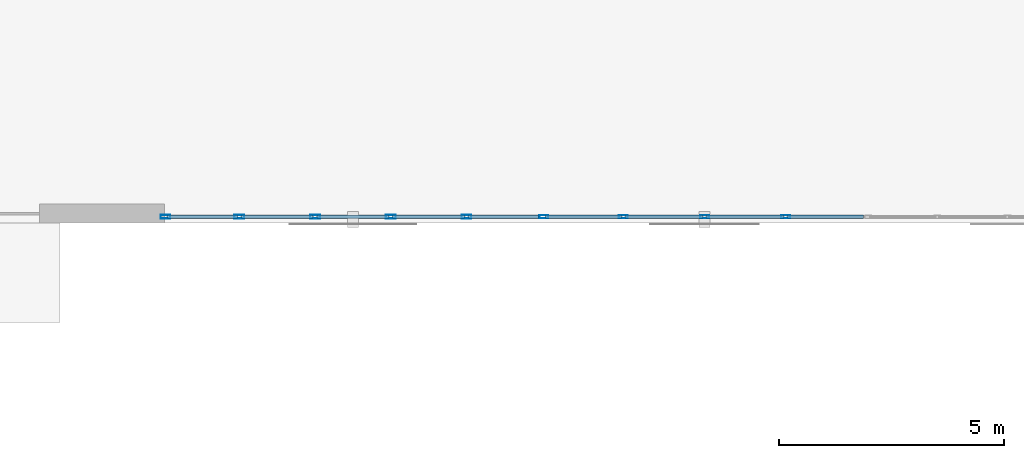
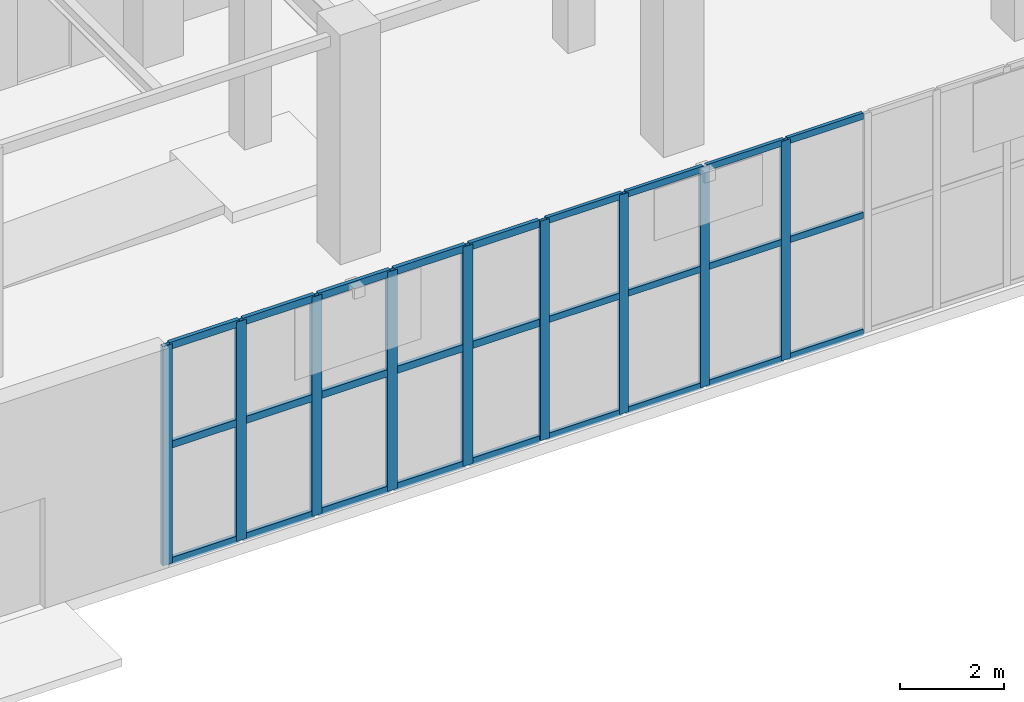
# One storey, part 36 of 139: 36 members, 2 elements without a shape of their own.
"""IFC4 building model written with IfcOpenShell, lengths in metres."""

import ifcopenshell
import ifcopenshell.guid

model = None  # the IFC model being written
_history = None  # IfcOwnerHistory: only IFC2X3 demands one
_inside = {}  # id of a spatial element -> (the spatial element, [elements in it])
_under = {}  # id of a project, library or spatial element -> (it, [spatial elements below it])
_declared = {}  # id of a project -> (the project, [libraries it declares])
_typed = {}  # id of a type object -> (the type object, [elements of that type])
_made_of = {}  # id of a material, layer set ... -> (it, [elements and type objects made of it])


def new_model(schema):
    """Start an empty IFC model of exactly this schema.

    Asked for "IFC4X3", IfcOpenShell would pick the latest addendum, in which some entities
    have other attributes; the version numbers below select the first issue.
    IFC2X3 requires an IfcOwnerHistory on every rooted entity: one is made here for all.
    """
    global model, _history
    if schema == "IFC4X3":
        model = ifcopenshell.file(schema_version=(4, 3, 0, 0))
    else:
        model = ifcopenshell.file(schema=schema)
    _inside.clear()
    _under.clear()
    _declared.clear()
    _typed.clear()
    _made_of.clear()
    _history = None
    if model.schema == "IFC2X3":
        org = make("IfcOrganization", Name="unknown")
        user = make(
            "IfcPersonAndOrganization",
            ThePerson=make("IfcPerson", FamilyName="unknown"),
            TheOrganization=org,
        )
        app = make(
            "IfcApplication",
            ApplicationDeveloper=org,
            Version="unknown",
            ApplicationFullName="unknown",
            ApplicationIdentifier="unknown",
        )
        _history = make(
            "IfcOwnerHistory",
            OwningUser=user,
            OwningApplication=app,
            ChangeAction="ADDED",
            CreationDate=0,
        )
    return model


def make(cls, **values):
    """One entity of the class cls with the attributes given. An attribute that is None is left unset."""
    return model.create_entity(
        cls, **{name: value for name, value in values.items() if value is not None}
    )


def rooted(cls, **values):
    """An entity with a GlobalId (a new one), such as an element, a storey or a relation."""
    return make(cls, GlobalId=ifcopenshell.guid.new(), OwnerHistory=_history, **values)


def si_unit(unit_type, name, prefix=None):
    """IfcSIUnit, for example si_unit("LENGTHUNIT", "METRE", prefix="MILLI")."""
    return make("IfcSIUnit", UnitType=unit_type, Prefix=prefix, Name=name)


def assignment(units):
    """IfcUnitAssignment: the units of a project."""
    return None if units is None else make("IfcUnitAssignment", Units=units)


def point(xyz):
    """IfcCartesianPoint."""
    return None if xyz is None else make("IfcCartesianPoint", Coordinates=xyz)


def direction(xyz):
    """IfcDirection."""
    return None if xyz is None else make("IfcDirection", DirectionRatios=xyz)


def frame(location, z_axis=None, x_axis=None):
    """IfcAxis2Placement3D, a coordinate frame: its origin and axes. An axis left out is left unset."""
    return make(
        "IfcAxis2Placement3D",
        Location=point(location),
        Axis=direction(z_axis),
        RefDirection=direction(x_axis),
    )


def frame_2d(location, x_axis=None):
    """IfcAxis2Placement2D, a coordinate frame in the plane: its origin and x axis."""
    return make(
        "IfcAxis2Placement2D", Location=point(location), RefDirection=direction(x_axis)
    )


def origin():
    """The frame at (0, 0, 0) with its axes left unset."""
    return frame((0.0, 0.0, 0.0))


def origin_2d():
    """The frame at (0, 0) in the plane with its x axis left unset."""
    return frame_2d((0.0, 0.0))


def place(relative_to, where):
    """IfcLocalPlacement: puts the frame where relative to a parent placement (None: the world)."""
    return make(
        "IfcLocalPlacement", PlacementRelTo=relative_to, RelativePlacement=where
    )


def context(
    kind, dimensions, precision=None, world=None, true_north=None, identifier=None
):
    """IfcGeometricRepresentationContext, for example the 3D "Model" context."""
    return make(
        "IfcGeometricRepresentationContext",
        ContextIdentifier=identifier,
        ContextType=kind,
        CoordinateSpaceDimension=dimensions,
        Precision=precision,
        WorldCoordinateSystem=world,
        TrueNorth=true_north,
    )


def subcontext(parent, identifier, kind, view, scale=None):
    """IfcGeometricRepresentationSubContext, for example "Body" below "Model"."""
    return make(
        "IfcGeometricRepresentationSubContext",
        ContextIdentifier=identifier,
        ContextType=kind,
        ParentContext=parent,
        TargetScale=scale,
        TargetView=view,
    )


def project(units=None, contexts=None):
    """IfcProject with its units and contexts."""
    return rooted(
        "IfcProject",
        Name="project",
        RepresentationContexts=contexts,
        UnitsInContext=assignment(units),
    )


def spatial(cls, under=None, at=None, **own):
    """A site, building, storey or space (cls), placed at a placement, below another one or the project."""
    s = rooted(cls, ObjectPlacement=at, **own)
    if under is not None:
        _under.setdefault(under.id(), (under, []))[1].append(s)
    return s


def profile(cls, at=None, kind="AREA", **sizes):
    """A parametric profile (cls). Its sizes go by their IFC names, for example OverallWidth=200.0."""
    return make(cls, ProfileType=kind, Position=at, **sizes)


def hollow_rectangle(**sizes):
    """IfcRectangleHollowProfileDef."""
    return profile("IfcRectangleHollowProfileDef", **sizes)


def extrude(swept, where, along, depth):
    """IfcExtrudedAreaSolid: the profile swept, set in the frame where, extruded along a direction by depth."""
    return make(
        "IfcExtrudedAreaSolid",
        SweptArea=swept,
        Position=where,
        ExtrudedDirection=direction(along),
        Depth=depth,
    )


def shape(context_of_items, identifier, shape_type, items):
    """IfcShapeRepresentation: the items that make up one representation, for example the "Body"."""
    return make(
        "IfcShapeRepresentation",
        ContextOfItems=context_of_items,
        RepresentationIdentifier=identifier,
        RepresentationType=shape_type,
        Items=items,
    )


def material(Name=None, Category=None):
    """IfcMaterial."""
    return make("IfcMaterial", Name=Name, Category=Category)


def layer(
    of_material, thickness, ventilated=None, Name=None, Category=None, Priority=None
):
    """IfcMaterialLayer: one layer of a wall or slab, of a material (None: an air gap)."""
    return make(
        "IfcMaterialLayer",
        Material=of_material,
        LayerThickness=thickness,
        IsVentilated=ventilated,
        Name=Name,
        Category=Category,
        Priority=Priority,
    )


def layer_set(layers, Name=None):
    """IfcMaterialLayerSet."""
    return make("IfcMaterialLayerSet", MaterialLayers=layers, LayerSetName=Name)


def material_profile(
    of_material, cross_section, Name=None, Category=None, Priority=None
):
    """IfcMaterialProfile: a cross section and its material."""
    return make(
        "IfcMaterialProfile",
        Name=Name,
        Material=of_material,
        Profile=cross_section,
        Priority=Priority,
        Category=Category,
    )


def profile_set(profiles, Name=None, composite=None):
    """IfcMaterialProfileSet."""
    return make(
        "IfcMaterialProfileSet",
        Name=Name,
        MaterialProfiles=profiles,
        CompositeProfile=composite,
    )


def made_of(thing, what):
    """Note that an element or type object is made of a material, layer set ...; save() writes the relation."""
    if what is not None:
        _made_of.setdefault(what.id(), (what, []))[1].append(thing)
    return thing


def type_object(cls, material=None, **own):
    """A type object (cls), such as IfcWallType, which elements share."""
    return made_of(rooted(cls, **own), material)


def element(
    cls,
    number,
    at=None,
    inside=None,
    cuts=None,
    type_object=None,
    material=None,
    context=None,
    identifier="Body",
    shape_type=None,
    held_by="IfcProductDefinitionShape",
    body=None,
    shapes=None,
    **own,
):
    """One element of the class cls, such as IfcWall. Its Tag is "e" and its number.

    at: its placement. inside: the storey or other place that contains it. cuts: it is an
    opening in that element (IfcRelVoidsElement). A single representation is given by context,
    identifier, shape_type and body (its items); several are given by shapes. held_by: the class
    of the entity that holds the representations. save() writes the other relations.
    """
    e = rooted(cls, Tag="e%d" % number, ObjectPlacement=at, **own)
    if body is not None:
        shapes = [shape(context, identifier, shape_type, body)]
    if shapes is not None:
        e.Representation = make(held_by, Representations=shapes)
    if inside is not None:
        _inside.setdefault(inside.id(), (inside, []))[1].append(e)
    if cuts is not None:
        rooted(
            "IfcRelVoidsElement", RelatingBuildingElement=cuts, RelatedOpeningElement=e
        )
    if type_object is not None:
        _typed.setdefault(type_object.id(), (type_object, []))[1].append(e)
    return made_of(e, material)


def aggregate(whole, parts):
    """IfcRelAggregates: a whole, such as a stair, and the parts it consists of."""
    return rooted("IfcRelAggregates", RelatingObject=whole, RelatedObjects=parts)


def save(model, path):
    """Write the relations noted so far, then the file.

    IfcRelAggregates (storeys below a building ...), IfcRelContainedInSpatialStructure (elements
    in a storey), IfcRelDefinesByType, IfcRelAssociatesMaterial and IfcRelDeclares: one each for
    every whole, place, type object, material and project.
    """
    for whole, parts in _under.values():
        aggregate(whole, parts)
    for where, things in _inside.values():
        rooted(
            "IfcRelContainedInSpatialStructure",
            RelatedElements=things,
            RelatingStructure=where,
        )
    for kind, things in _typed.values():
        rooted("IfcRelDefinesByType", RelatedObjects=things, RelatingType=kind)
    for what, things in _made_of.values():
        rooted("IfcRelAssociatesMaterial", RelatedObjects=things, RelatingMaterial=what)
    for by, libraries in _declared.values():
        rooted("IfcRelDeclares", RelatingContext=by, RelatedDefinitions=libraries)
    model.write(path)


model = new_model("IFC4")

# Units and contexts
model_context = context("Model", 3, precision=1e-05, world=origin(), true_north=direction((0.0, 1.0)))
body_context = subcontext(model_context, "Body", "Model", "MODEL_VIEW")
ifc_project = project(units=[si_unit("LENGTHUNIT", "METRE"), si_unit("AREAUNIT", "SQUARE_METRE"), si_unit("VOLUMEUNIT", "CUBIC_METRE"), si_unit("PLANEANGLEUNIT", "RADIAN"), si_unit("MASSUNIT", "GRAM", prefix="KILO")], contexts=[model_context])

# Site, building, storey
site_placement = place(None, origin())
site = spatial("IfcSite", under=ifc_project, at=site_placement, CompositionType="ELEMENT")
building_placement = place(site_placement, origin())
building = spatial("IfcBuilding", under=site, at=building_placement, Name="Xicomal Pleat Aquarium", CompositionType="ELEMENT")
storey_placement = place(building_placement, origin())
storey = spatial("IfcBuildingStorey", under=building, at=storey_placement, Name="L01", CompositionType="ELEMENT", Elevation=0.0)

# Curtain wall, members
ifc_material_1 = material(Name="Bronze anodized aluminium 6063-T6", Category="aluminium")
ifc_layer_1 = layer(ifc_material_1, 0.159912109375)
ifc_layer_set_1 = layer_set([ifc_layer_1], Name="Bronze anodized aluminium 6063-T6")
curtain_wall_type_1 = type_object("IfcCurtainWallType", Name="CW-SYS-06", PredefinedType="NOTDEFINED", material=ifc_layer_set_1)
curtain_wall_1_placement = place(storey_placement, origin())
curtain_wall_1 = element("IfcCurtainWall", 1, at=curtain_wall_1_placement, inside=storey, type_object=curtain_wall_type_1, Name="L01 unitised curtain wall CW-L01-049", PredefinedType="NOTDEFINED")
ifc_material_2 = material(Name="Bronze anodized aluminium 6063-T6", Category="aluminium")
ifc_material_profile_1 = material_profile(ifc_material_2, hollow_rectangle(XDim=0.074951171875, YDim=0.199951171875, WallThickness=0.00439453125, at=origin_2d()), Name="ALU MULL 75x200")
ifc_profile_set_1 = profile_set([ifc_material_profile_1], Name="Bronze anodized aluminium 6063-T6")
member_type_1 = type_object("IfcMemberType", Name="CWM-75x200", PredefinedType="MULLION", material=ifc_profile_set_1)
member_1_placement = place(storey_placement, frame((116.39990234375, 30.5400390625, 0.0), z_axis=(0.0, 0.0, 1.0), x_axis=(0.0, -1.0, 0.0)))
member_1 = element("IfcMember", 2, at=member_1_placement, type_object=member_type_1, Name="CW-06 mullion 2", PredefinedType="MULLION", context=body_context, shape_type="SweptSolid", body=[
    extrude(hollow_rectangle(XDim=0.074951171875, YDim=0.199951171875, WallThickness=0.00439453125, at=origin_2d()), origin(), (0.0, 0.0, 1.0), 5.159912109375),
])
member_2_placement = place(storey_placement, frame((114.60009765625, 30.5400390625, 0.0), z_axis=(0.0, 0.0, 1.0), x_axis=(0.0, -1.0, 0.0)))
member_2 = element("IfcMember", 3, at=member_2_placement, type_object=member_type_1, Name="CW-06 mullion 3", PredefinedType="MULLION", context=body_context, shape_type="SweptSolid", body=[
    extrude(hollow_rectangle(XDim=0.074951171875, YDim=0.199951171875, WallThickness=0.00439453125, at=origin_2d()), origin(), (0.0, 0.0, 1.0), 5.159912109375),
])
member_3_placement = place(storey_placement, frame((112.800048828125, 30.5400390625, 0.0), z_axis=(0.0, 0.0, 1.0), x_axis=(0.0, -1.0, 0.0)))
member_3 = element("IfcMember", 4, at=member_3_placement, type_object=member_type_1, Name="CW-06 mullion 4", PredefinedType="MULLION", context=body_context, shape_type="SweptSolid", body=[
    extrude(hollow_rectangle(XDim=0.074951171875, YDim=0.199951171875, WallThickness=0.00439453125, at=origin_2d()), origin(), (0.0, 0.0, 1.0), 5.159912109375),
])
member_4_placement = place(storey_placement, frame((111.03759765625, 30.5400390625, 0.0), z_axis=(0.0, 0.0, 1.0), x_axis=(0.0, -1.0, 0.0)))
member_4 = element("IfcMember", 5, at=member_4_placement, type_object=member_type_1, Name="CW-06 mullion 5", PredefinedType="MULLION", context=body_context, shape_type="SweptSolid", body=[
    extrude(hollow_rectangle(XDim=0.074951171875, YDim=0.199951171875, WallThickness=0.00439453125, at=origin_2d()), origin(), (0.0, 0.0, 1.0), 5.159912109375),
])

ifc_material_3 = material(Name="Bronze anodized aluminium 6063-T6", Category="aluminium")
ifc_layer_2 = layer(ifc_material_3, 0.159912109375)
ifc_layer_set_2 = layer_set([ifc_layer_2], Name="Bronze anodized aluminium 6063-T6")
curtain_wall_type_2 = type_object("IfcCurtainWallType", Name="CW-SYS-11", PredefinedType="NOTDEFINED", material=ifc_layer_set_2)
curtain_wall_2_placement = place(storey_placement, origin())
curtain_wall_2 = element("IfcCurtainWall", 6, at=curtain_wall_2_placement, inside=storey, type_object=curtain_wall_type_2, Name="L01 unitised curtain wall CW-L01-050", PredefinedType="NOTDEFINED")
ifc_material_4 = material(Name="Bronze anodized aluminium 6063-T6", Category="aluminium")
ifc_material_profile_2 = material_profile(ifc_material_4, hollow_rectangle(XDim=0.0849609375, YDim=0.219970703125, WallThickness=0.0048828125, at=origin_2d()), Name="ALU MULL 85x220")
ifc_profile_set_2 = profile_set([ifc_material_profile_2], Name="Bronze anodized aluminium 6063-T6")
member_type_2 = type_object("IfcMemberType", Name="CWM-85x220", PredefinedType="MULLION", material=ifc_profile_set_2)
member_5_placement = place(storey_placement, frame((109.320068359375, 30.5400390625, 0.0), z_axis=(0.0, 0.0, 1.0), x_axis=(0.0, -1.0, 0.0)))
member_5 = element("IfcMember", 7, at=member_5_placement, type_object=member_type_2, Name="CW-11 mullion 2", PredefinedType="MULLION", context=body_context, shape_type="SweptSolid", body=[
    extrude(hollow_rectangle(XDim=0.0849609375, YDim=0.219970703125, WallThickness=0.0048828125, at=origin_2d()), origin(), (0.0, 0.0, 1.0), 5.159912109375),
])
member_6_placement = place(storey_placement, frame((107.639892578125, 30.5400390625, 0.0), z_axis=(0.0, 0.0, 1.0), x_axis=(0.0, -1.0, 0.0)))
member_6 = element("IfcMember", 8, at=member_6_placement, type_object=member_type_2, Name="CW-11 mullion 3", PredefinedType="MULLION", context=body_context, shape_type="SweptSolid", body=[
    extrude(hollow_rectangle(XDim=0.0849609375, YDim=0.219970703125, WallThickness=0.0048828125, at=origin_2d()), origin(), (0.0, 0.0, 1.0), 5.159912109375),
])
member_7_placement = place(storey_placement, frame((105.9599609375, 30.5400390625, 0.0), z_axis=(0.0, 0.0, 1.0), x_axis=(0.0, -1.0, 0.0)))
member_7 = element("IfcMember", 9, at=member_7_placement, type_object=member_type_2, Name="CW-11 mullion 4", PredefinedType="MULLION", context=body_context, shape_type="SweptSolid", body=[
    extrude(hollow_rectangle(XDim=0.0849609375, YDim=0.219970703125, WallThickness=0.0048828125, at=origin_2d()), origin(), (0.0, 0.0, 1.0), 5.159912109375),
])
member_8_placement = place(storey_placement, frame((104.280029296875, 30.5400390625, 0.0), z_axis=(0.0, 0.0, 1.0), x_axis=(0.0, -1.0, 0.0)))
member_8 = element("IfcMember", 10, at=member_8_placement, type_object=member_type_2, Name="CW-11 mullion 5", PredefinedType="MULLION", context=body_context, shape_type="SweptSolid", body=[
    extrude(hollow_rectangle(XDim=0.0849609375, YDim=0.219970703125, WallThickness=0.0048828125, at=origin_2d()), origin(), (0.0, 0.0, 1.0), 5.159912109375),
])
member_9_placement = place(storey_placement, frame((102.642578125, 30.5400390625, 0.0), z_axis=(0.0, 0.0, 1.0), x_axis=(0.0, -1.0, 0.0)))
member_9 = element("IfcMember", 11, at=member_9_placement, type_object=member_type_2, Name="CW-11 mullion 6", PredefinedType="MULLION", context=body_context, shape_type="SweptSolid", body=[
    extrude(hollow_rectangle(XDim=0.0849609375, YDim=0.219970703125, WallThickness=0.0048828125, at=origin_2d()), origin(), (0.0, 0.0, 1.0), 5.159912109375),
])

# Member
ifc_material_5 = material(Name="Bronze anodized aluminium 6063-T6", Category="aluminium")
ifc_material_profile_3 = material_profile(ifc_material_5, hollow_rectangle(XDim=0.074951171875, YDim=0.14990234375, WallThickness=0.00439453125, at=origin_2d()), Name="ALU TRAN 75x150")
ifc_profile_set_3 = profile_set([ifc_material_profile_3], Name="Bronze anodized aluminium 6063-T6")
member_type_3 = type_object("IfcMemberType", Name="CWT-75x150", PredefinedType="USERDEFINED", material=ifc_profile_set_3)
member_10_placement = place(storey_placement, frame((118.125, 30.5400390625, 0.03759765625), z_axis=(-1.0, 0.0, 0.0), x_axis=(0.0, -1.0, 0.0)))
member_10 = element("IfcMember", 12, at=member_10_placement, type_object=member_type_3, Name="CW-06 transom 1.1", ObjectType="TRANSOM", PredefinedType="USERDEFINED", context=body_context, shape_type="SweptSolid", body=[
    extrude(hollow_rectangle(XDim=0.074951171875, YDim=0.14990234375, WallThickness=0.00439453125, at=origin_2d()), origin(), (0.0, 0.0, 1.0), 1.6875),
])

member_11_placement = place(storey_placement, frame((118.125, 30.5400390625, 2.785888671875), z_axis=(-1.0, 0.0, 0.0), x_axis=(0.0, -1.0, 0.0)))
member_11 = element("IfcMember", 13, at=member_11_placement, type_object=member_type_3, Name="CW-06 transom 1.2", ObjectType="TRANSOM", PredefinedType="USERDEFINED", context=body_context, shape_type="SweptSolid", body=[
    extrude(hollow_rectangle(XDim=0.074951171875, YDim=0.14990234375, WallThickness=0.00439453125, at=origin_2d()), origin(), (0.0, 0.0, 1.0), 1.6875),
])

member_12_placement = place(storey_placement, frame((118.125, 30.5400390625, 5.12255859375), z_axis=(-1.0, 0.0, 0.0), x_axis=(0.0, -1.0, 0.0)))
member_12 = element("IfcMember", 14, at=member_12_placement, type_object=member_type_3, Name="CW-06 transom 1.3", ObjectType="TRANSOM", PredefinedType="USERDEFINED", context=body_context, shape_type="SweptSolid", body=[
    extrude(hollow_rectangle(XDim=0.074951171875, YDim=0.14990234375, WallThickness=0.00439453125, at=origin_2d()), origin(), (0.0, 0.0, 1.0), 1.6875),
])

member_13_placement = place(storey_placement, frame((116.362548828125, 30.5400390625, 0.03759765625), z_axis=(-1.0, 0.0, 0.0), x_axis=(0.0, -1.0, 0.0)))
member_13 = element("IfcMember", 15, at=member_13_placement, type_object=member_type_3, Name="CW-06 transom 2.1", ObjectType="TRANSOM", PredefinedType="USERDEFINED", context=body_context, shape_type="SweptSolid", body=[
    extrude(hollow_rectangle(XDim=0.074951171875, YDim=0.14990234375, WallThickness=0.00439453125, at=origin_2d()), origin(), (0.0, 0.0, 1.0), 1.72509765625),
])

member_14_placement = place(storey_placement, frame((116.362548828125, 30.5400390625, 2.785888671875), z_axis=(-1.0, 0.0, 0.0), x_axis=(0.0, -1.0, 0.0)))
member_14 = element("IfcMember", 16, at=member_14_placement, type_object=member_type_3, Name="CW-06 transom 2.2", ObjectType="TRANSOM", PredefinedType="USERDEFINED", context=body_context, shape_type="SweptSolid", body=[
    extrude(hollow_rectangle(XDim=0.074951171875, YDim=0.14990234375, WallThickness=0.00439453125, at=origin_2d()), origin(), (0.0, 0.0, 1.0), 1.72509765625),
])

member_15_placement = place(storey_placement, frame((116.362548828125, 30.5400390625, 5.12255859375), z_axis=(-1.0, 0.0, 0.0), x_axis=(0.0, -1.0, 0.0)))
member_15 = element("IfcMember", 17, at=member_15_placement, type_object=member_type_3, Name="CW-06 transom 2.3", ObjectType="TRANSOM", PredefinedType="USERDEFINED", context=body_context, shape_type="SweptSolid", body=[
    extrude(hollow_rectangle(XDim=0.074951171875, YDim=0.14990234375, WallThickness=0.00439453125, at=origin_2d()), origin(), (0.0, 0.0, 1.0), 1.72509765625),
])

member_16_placement = place(storey_placement, frame((114.5625, 30.5400390625, 0.03759765625), z_axis=(-1.0, 0.0, 0.0), x_axis=(0.0, -1.0, 0.0)))
member_16 = element("IfcMember", 18, at=member_16_placement, type_object=member_type_3, Name="CW-06 transom 3.1", ObjectType="TRANSOM", PredefinedType="USERDEFINED", context=body_context, shape_type="SweptSolid", body=[
    extrude(hollow_rectangle(XDim=0.074951171875, YDim=0.14990234375, WallThickness=0.00439453125, at=origin_2d()), origin(), (0.0, 0.0, 1.0), 1.72509765625),
])

member_17_placement = place(storey_placement, frame((114.5625, 30.5400390625, 2.785888671875), z_axis=(-1.0, 0.0, 0.0), x_axis=(0.0, -1.0, 0.0)))
member_17 = element("IfcMember", 19, at=member_17_placement, type_object=member_type_3, Name="CW-06 transom 3.2", ObjectType="TRANSOM", PredefinedType="USERDEFINED", context=body_context, shape_type="SweptSolid", body=[
    extrude(hollow_rectangle(XDim=0.074951171875, YDim=0.14990234375, WallThickness=0.00439453125, at=origin_2d()), origin(), (0.0, 0.0, 1.0), 1.72509765625),
])

member_18_placement = place(storey_placement, frame((114.5625, 30.5400390625, 5.12255859375), z_axis=(-1.0, 0.0, 0.0), x_axis=(0.0, -1.0, 0.0)))
member_18 = element("IfcMember", 20, at=member_18_placement, type_object=member_type_3, Name="CW-06 transom 3.3", ObjectType="TRANSOM", PredefinedType="USERDEFINED", context=body_context, shape_type="SweptSolid", body=[
    extrude(hollow_rectangle(XDim=0.074951171875, YDim=0.14990234375, WallThickness=0.00439453125, at=origin_2d()), origin(), (0.0, 0.0, 1.0), 1.72509765625),
])

member_19_placement = place(storey_placement, frame((112.762451171875, 30.5400390625, 0.03759765625), z_axis=(-1.0, 0.0, 0.0), x_axis=(0.0, -1.0, 0.0)))
member_19 = element("IfcMember", 21, at=member_19_placement, type_object=member_type_3, Name="CW-06 transom 4.1", ObjectType="TRANSOM", PredefinedType="USERDEFINED", context=body_context, shape_type="SweptSolid", body=[
    extrude(hollow_rectangle(XDim=0.074951171875, YDim=0.14990234375, WallThickness=0.00439453125, at=origin_2d()), origin(), (0.0, 0.0, 1.0), 1.6875),
])

member_20_placement = place(storey_placement, frame((112.762451171875, 30.5400390625, 2.785888671875), z_axis=(-1.0, 0.0, 0.0), x_axis=(0.0, -1.0, 0.0)))
member_20 = element("IfcMember", 22, at=member_20_placement, type_object=member_type_3, Name="CW-06 transom 4.2", ObjectType="TRANSOM", PredefinedType="USERDEFINED", context=body_context, shape_type="SweptSolid", body=[
    extrude(hollow_rectangle(XDim=0.074951171875, YDim=0.14990234375, WallThickness=0.00439453125, at=origin_2d()), origin(), (0.0, 0.0, 1.0), 1.6875),
])

member_21_placement = place(storey_placement, frame((112.762451171875, 30.5400390625, 5.12255859375), z_axis=(-1.0, 0.0, 0.0), x_axis=(0.0, -1.0, 0.0)))
member_21 = element("IfcMember", 23, at=member_21_placement, type_object=member_type_3, Name="CW-06 transom 4.3", ObjectType="TRANSOM", PredefinedType="USERDEFINED", context=body_context, shape_type="SweptSolid", body=[
    extrude(hollow_rectangle(XDim=0.074951171875, YDim=0.14990234375, WallThickness=0.00439453125, at=origin_2d()), origin(), (0.0, 0.0, 1.0), 1.6875),
])

aggregate(curtain_wall_1, [member_1, member_2, member_3, member_4, member_10, member_11, member_12, member_13, member_14, member_15, member_16, member_17, member_18, member_19, member_20, member_21])

ifc_material_6 = material(Name="Bronze anodized aluminium 6063-T6", Category="aluminium")
ifc_material_profile_4 = material_profile(ifc_material_6, hollow_rectangle(XDim=0.0849609375, YDim=0.169921875, WallThickness=0.0048828125, at=origin_2d()), Name="ALU TRAN 85x170")
ifc_profile_set_4 = profile_set([ifc_material_profile_4], Name="Bronze anodized aluminium 6063-T6")
member_type_4 = type_object("IfcMemberType", Name="CWT-85x170", PredefinedType="USERDEFINED", material=ifc_profile_set_4)
member_22_placement = place(storey_placement, frame((110.9150390625, 30.5400390625, 0.04248046875), z_axis=(-1.0, 0.0, 0.0), x_axis=(0.0, -1.0, 0.0)))
member_22 = element("IfcMember", 24, at=member_22_placement, type_object=member_type_4, Name="CW-11 transom 1.1", ObjectType="TRANSOM", PredefinedType="USERDEFINED", context=body_context, shape_type="SweptSolid", body=[
    extrude(hollow_rectangle(XDim=0.0849609375, YDim=0.169921875, WallThickness=0.0048828125, at=origin_2d()), origin(), (0.0, 0.0, 1.0), 1.552490234375),
])

member_23_placement = place(storey_placement, frame((110.9150390625, 30.5400390625, 2.785888671875), z_axis=(-1.0, 0.0, 0.0), x_axis=(0.0, -1.0, 0.0)))
member_23 = element("IfcMember", 25, at=member_23_placement, type_object=member_type_4, Name="CW-11 transom 1.2", ObjectType="TRANSOM", PredefinedType="USERDEFINED", context=body_context, shape_type="SweptSolid", body=[
    extrude(hollow_rectangle(XDim=0.0849609375, YDim=0.169921875, WallThickness=0.0048828125, at=origin_2d()), origin(), (0.0, 0.0, 1.0), 1.552490234375),
])

member_24_placement = place(storey_placement, frame((110.9150390625, 30.5400390625, 5.117431640625), z_axis=(-1.0, 0.0, 0.0), x_axis=(0.0, -1.0, 0.0)))
member_24 = element("IfcMember", 26, at=member_24_placement, type_object=member_type_4, Name="CW-11 transom 1.3", ObjectType="TRANSOM", PredefinedType="USERDEFINED", context=body_context, shape_type="SweptSolid", body=[
    extrude(hollow_rectangle(XDim=0.0849609375, YDim=0.169921875, WallThickness=0.0048828125, at=origin_2d()), origin(), (0.0, 0.0, 1.0), 1.552490234375),
])

member_25_placement = place(storey_placement, frame((109.277587890625, 30.5400390625, 0.04248046875), z_axis=(-1.0, 0.0, 0.0), x_axis=(0.0, -1.0, 0.0)))
member_25 = element("IfcMember", 27, at=member_25_placement, type_object=member_type_4, Name="CW-11 transom 2.1", ObjectType="TRANSOM", PredefinedType="USERDEFINED", context=body_context, shape_type="SweptSolid", body=[
    extrude(hollow_rectangle(XDim=0.0849609375, YDim=0.169921875, WallThickness=0.0048828125, at=origin_2d()), origin(), (0.0, 0.0, 1.0), 1.594970703125),
])

member_26_placement = place(storey_placement, frame((109.277587890625, 30.5400390625, 2.785888671875), z_axis=(-1.0, 0.0, 0.0), x_axis=(0.0, -1.0, 0.0)))
member_26 = element("IfcMember", 28, at=member_26_placement, type_object=member_type_4, Name="CW-11 transom 2.2", ObjectType="TRANSOM", PredefinedType="USERDEFINED", context=body_context, shape_type="SweptSolid", body=[
    extrude(hollow_rectangle(XDim=0.0849609375, YDim=0.169921875, WallThickness=0.0048828125, at=origin_2d()), origin(), (0.0, 0.0, 1.0), 1.594970703125),
])

member_27_placement = place(storey_placement, frame((109.277587890625, 30.5400390625, 5.117431640625), z_axis=(-1.0, 0.0, 0.0), x_axis=(0.0, -1.0, 0.0)))
member_27 = element("IfcMember", 29, at=member_27_placement, type_object=member_type_4, Name="CW-11 transom 2.3", ObjectType="TRANSOM", PredefinedType="USERDEFINED", context=body_context, shape_type="SweptSolid", body=[
    extrude(hollow_rectangle(XDim=0.0849609375, YDim=0.169921875, WallThickness=0.0048828125, at=origin_2d()), origin(), (0.0, 0.0, 1.0), 1.594970703125),
])

member_28_placement = place(storey_placement, frame((107.597412109375, 30.5400390625, 0.04248046875), z_axis=(-1.0, 0.0, 0.0), x_axis=(0.0, -1.0, 0.0)))
member_28 = element("IfcMember", 30, at=member_28_placement, type_object=member_type_4, Name="CW-11 transom 3.1", ObjectType="TRANSOM", PredefinedType="USERDEFINED", context=body_context, shape_type="SweptSolid", body=[
    extrude(hollow_rectangle(XDim=0.0849609375, YDim=0.169921875, WallThickness=0.0048828125, at=origin_2d()), origin(), (0.0, 0.0, 1.0), 1.594970703125),
])

member_29_placement = place(storey_placement, frame((107.597412109375, 30.5400390625, 2.785888671875), z_axis=(-1.0, 0.0, 0.0), x_axis=(0.0, -1.0, 0.0)))
member_29 = element("IfcMember", 31, at=member_29_placement, type_object=member_type_4, Name="CW-11 transom 3.2", ObjectType="TRANSOM", PredefinedType="USERDEFINED", context=body_context, shape_type="SweptSolid", body=[
    extrude(hollow_rectangle(XDim=0.0849609375, YDim=0.169921875, WallThickness=0.0048828125, at=origin_2d()), origin(), (0.0, 0.0, 1.0), 1.594970703125),
])

member_30_placement = place(storey_placement, frame((107.597412109375, 30.5400390625, 5.117431640625), z_axis=(-1.0, 0.0, 0.0), x_axis=(0.0, -1.0, 0.0)))
member_30 = element("IfcMember", 32, at=member_30_placement, type_object=member_type_4, Name="CW-11 transom 3.3", ObjectType="TRANSOM", PredefinedType="USERDEFINED", context=body_context, shape_type="SweptSolid", body=[
    extrude(hollow_rectangle(XDim=0.0849609375, YDim=0.169921875, WallThickness=0.0048828125, at=origin_2d()), origin(), (0.0, 0.0, 1.0), 1.594970703125),
])

member_31_placement = place(storey_placement, frame((105.91748046875, 30.5400390625, 0.04248046875), z_axis=(-1.0, 0.0, 0.0), x_axis=(0.0, -1.0, 0.0)))
member_31 = element("IfcMember", 33, at=member_31_placement, type_object=member_type_4, Name="CW-11 transom 4.1", ObjectType="TRANSOM", PredefinedType="USERDEFINED", context=body_context, shape_type="SweptSolid", body=[
    extrude(hollow_rectangle(XDim=0.0849609375, YDim=0.169921875, WallThickness=0.0048828125, at=origin_2d()), origin(), (0.0, 0.0, 1.0), 1.594970703125),
])

member_32_placement = place(storey_placement, frame((105.91748046875, 30.5400390625, 2.785888671875), z_axis=(-1.0, 0.0, 0.0), x_axis=(0.0, -1.0, 0.0)))
member_32 = element("IfcMember", 34, at=member_32_placement, type_object=member_type_4, Name="CW-11 transom 4.2", ObjectType="TRANSOM", PredefinedType="USERDEFINED", context=body_context, shape_type="SweptSolid", body=[
    extrude(hollow_rectangle(XDim=0.0849609375, YDim=0.169921875, WallThickness=0.0048828125, at=origin_2d()), origin(), (0.0, 0.0, 1.0), 1.594970703125),
])

member_33_placement = place(storey_placement, frame((105.91748046875, 30.5400390625, 5.117431640625), z_axis=(-1.0, 0.0, 0.0), x_axis=(0.0, -1.0, 0.0)))
member_33 = element("IfcMember", 35, at=member_33_placement, type_object=member_type_4, Name="CW-11 transom 4.3", ObjectType="TRANSOM", PredefinedType="USERDEFINED", context=body_context, shape_type="SweptSolid", body=[
    extrude(hollow_rectangle(XDim=0.0849609375, YDim=0.169921875, WallThickness=0.0048828125, at=origin_2d()), origin(), (0.0, 0.0, 1.0), 1.594970703125),
])

member_34_placement = place(storey_placement, frame((104.237548828125, 30.5400390625, 0.04248046875), z_axis=(-1.0, 0.0, 0.0), x_axis=(0.0, -1.0, 0.0)))
member_34 = element("IfcMember", 36, at=member_34_placement, type_object=member_type_4, Name="CW-11 transom 5.1", ObjectType="TRANSOM", PredefinedType="USERDEFINED", context=body_context, shape_type="SweptSolid", body=[
    extrude(hollow_rectangle(XDim=0.0849609375, YDim=0.169921875, WallThickness=0.0048828125, at=origin_2d()), origin(), (0.0, 0.0, 1.0), 1.552490234375),
])

member_35_placement = place(storey_placement, frame((104.237548828125, 30.5400390625, 2.785888671875), z_axis=(-1.0, 0.0, 0.0), x_axis=(0.0, -1.0, 0.0)))
member_35 = element("IfcMember", 37, at=member_35_placement, type_object=member_type_4, Name="CW-11 transom 5.2", ObjectType="TRANSOM", PredefinedType="USERDEFINED", context=body_context, shape_type="SweptSolid", body=[
    extrude(hollow_rectangle(XDim=0.0849609375, YDim=0.169921875, WallThickness=0.0048828125, at=origin_2d()), origin(), (0.0, 0.0, 1.0), 1.552490234375),
])

member_36_placement = place(storey_placement, frame((104.237548828125, 30.5400390625, 5.117431640625), z_axis=(-1.0, 0.0, 0.0), x_axis=(0.0, -1.0, 0.0)))
member_36 = element("IfcMember", 38, at=member_36_placement, type_object=member_type_4, Name="CW-11 transom 5.3", ObjectType="TRANSOM", PredefinedType="USERDEFINED", context=body_context, shape_type="SweptSolid", body=[
    extrude(hollow_rectangle(XDim=0.0849609375, YDim=0.169921875, WallThickness=0.0048828125, at=origin_2d()), origin(), (0.0, 0.0, 1.0), 1.552490234375),
])

aggregate(curtain_wall_2, [member_5, member_6, member_7, member_8, member_9, member_22, member_23, member_24, member_25, member_26, member_27, member_28, member_29, member_30, member_31, member_32, member_33, member_34, member_35, member_36])

save(model, "model.ifc")
